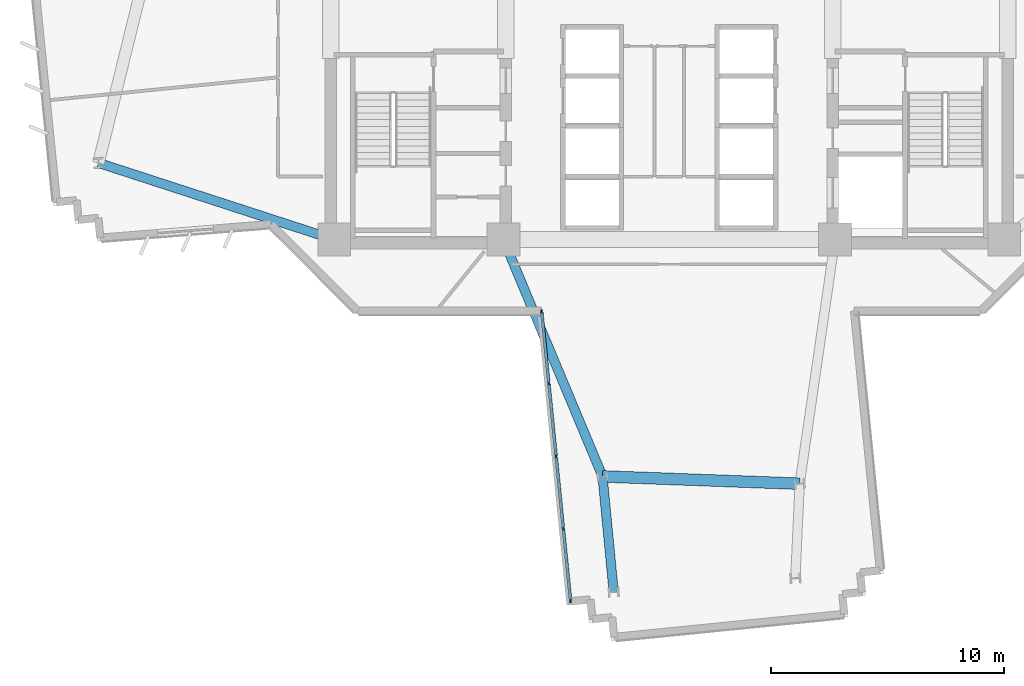
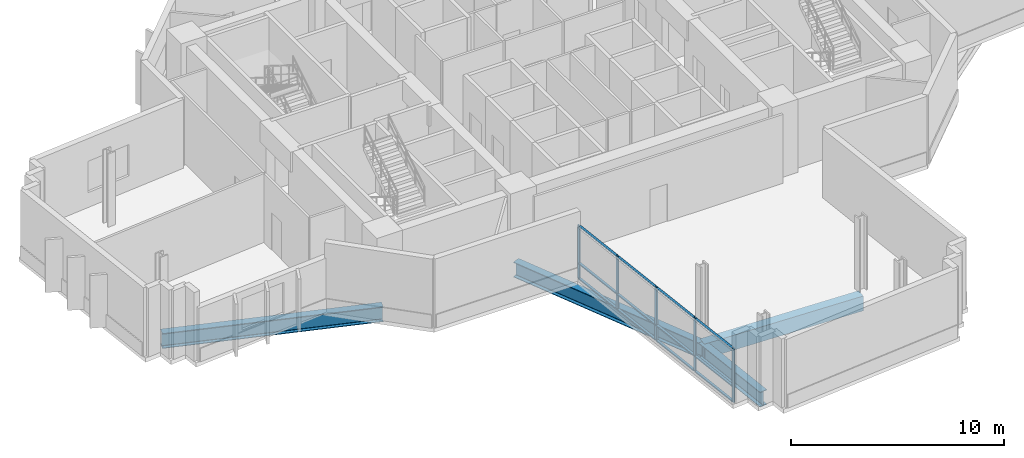
# One storey, part 2 of 14: 17 members, 4 beams, 1 element without a shape of its own.
"""IFC4 building model written with IfcOpenShell, lengths in metres."""

from ifc_helpers import new_model, si_unit, direction, frame, origin, origin_2d, place, context, subcontext, project, spatial, rectangle, i_section, extrude, source, transform, mapped, material, layer, layer_set, material_profile, profile_set, type_object, element, aggregate, save


model = new_model("IFC4")

# Units and contexts
model_context = context("Model", 3, precision=1e-05, world=origin(), true_north=direction((0.0, 1.0)))
body_context = subcontext(model_context, "Body", "Model", "MODEL_VIEW")
ifc_project = project(units=[si_unit("LENGTHUNIT", "METRE"), si_unit("AREAUNIT", "SQUARE_METRE"), si_unit("VOLUMEUNIT", "CUBIC_METRE"), si_unit("PLANEANGLEUNIT", "RADIAN"), si_unit("MASSUNIT", "GRAM", prefix="KILO")], contexts=[model_context])

# Site, building, storey
site_placement = place(None, origin())
site = spatial("IfcSite", under=ifc_project, at=site_placement, CompositionType="ELEMENT")
building_placement = place(site_placement, origin())
building = spatial("IfcBuilding", under=site, at=building_placement, Name="Zahravan Cultural Tower", CompositionType="ELEMENT")
storey_placement = place(building_placement, frame((0.0, 0.0, 92.10009765625)))
storey = spatial("IfcBuildingStorey", under=building, at=storey_placement, Name="L20", CompositionType="ELEMENT", Elevation=92.10009765625)

# Beams
ifc_material_1 = material(Name="Concrete C50/60", Category="concrete")
ifc_material_profile_1 = material_profile(ifc_material_1, rectangle(XDim=0.5, YDim=0.85009765625, at=origin_2d()), Name="RC500X850")
ifc_profile_set_1 = profile_set([ifc_material_profile_1], Name="Concrete C50/60")
beam_type_1 = type_object("IfcBeamType", Name="BM-SP-RC500X850", PredefinedType="SPANDREL", material=ifc_profile_set_1)
shared_shape_1 = source(origin(), body_context, "Body", "SweptSolid", [
    extrude(rectangle(XDim=0.5, YDim=0.85009765625, at=origin_2d()), origin(), (0.0, 0.0, 1.0), 8.4482421875),
])
beam_1_placement = place(storey_placement, frame((33.142578125, 7.653564453125, -0.675048828125), z_axis=(0.999318826256, -0.036903705643, 0.0), x_axis=(0.036903705643, 0.999318826256, 0.0)))
element("IfcBeam", 1, at=beam_1_placement, inside=storey, type_object=beam_type_1, Name="L20 Beam SP-L20-19", PredefinedType="SPANDREL", context=body_context, shape_type="MappedRepresentation", body=[
    mapped(shared_shape_1, transform((0.0, 0.0, 0.0), x_axis=(1.0, 0.0, 0.0), y_axis=(0.0, 1.0, 0.0), z_axis=(0.0, 0.0, 1.0), scale=1.0)),
])
ifc_material_2 = material(Name="Steel ASTM A992 Grade 50", Category="steel")
ifc_material_profile_2 = material_profile(ifc_material_2, i_section(OverallWidth=0.39990234375, OverallDepth=0.862060546875, WebThickness=0.019775390625, FlangeThickness=0.032470703125, FilletRadius=0.02001953125, at=origin_2d()), Name="W33X221")
ifc_profile_set_2 = profile_set([ifc_material_profile_2], Name="Steel ASTM A992 Grade 50")
beam_type_2 = type_object("IfcBeamType", Name="BM-G-W33X221", PredefinedType="BEAM", material=ifc_profile_set_2)
shared_shape_2 = source(origin(), body_context, "Body", "SweptSolid", [
    extrude(i_section(OverallWidth=0.39990234375, OverallDepth=0.862060546875, WebThickness=0.019775390625, FlangeThickness=0.032470703125, FilletRadius=0.02001953125, at=origin_2d()), origin(), (0.0, 0.0, 1.0), 10.615966796875),
])
beam_2_placement = place(storey_placement, frame((21.64990234375, 17.800048828125, -0.68115234375), z_axis=(-0.951063640083, 0.30899506875, 0.0), x_axis=(-0.30899506875, -0.951063640083, 0.0)))
element("IfcBeam", 2, at=beam_2_placement, inside=storey, type_object=beam_type_2, Name="L20 Beam BG-L20-07", PredefinedType="BEAM", context=body_context, shape_type="MappedRepresentation", body=[
    mapped(shared_shape_2, transform((0.0, 0.0, 0.0), x_axis=(1.0, 0.0, 0.0), y_axis=(0.0, 1.0, 0.0), z_axis=(0.0, 0.0, 1.0), scale=1.0)),
])
shared_shape_3 = source(origin(), body_context, "Body", "SweptSolid", [
    extrude(i_section(OverallWidth=0.39990234375, OverallDepth=0.862060546875, WebThickness=0.019775390625, FlangeThickness=0.032470703125, FilletRadius=0.02001953125, at=origin_2d()), origin(), (0.0, 0.0, 1.0), 10.997802734375),
])
beam_3_placement = place(storey_placement, frame((28.89990234375, 17.800048828125, -0.68115234375), z_axis=(0.385775211449, -0.922592806297, 0.0), x_axis=(0.922592806297, 0.385775211449, 0.0)))
element("IfcBeam", 3, at=beam_3_placement, inside=storey, type_object=beam_type_2, Name="L20 Beam BG-L20-08", PredefinedType="BEAM", context=body_context, shape_type="MappedRepresentation", body=[
    mapped(shared_shape_3, transform((0.0, 0.0, 0.0), x_axis=(1.0, 0.0, 0.0), y_axis=(0.0, 1.0, 0.0), z_axis=(0.0, 0.0, 1.0), scale=1.0)),
])
shared_shape_4 = source(origin(), body_context, "Body", "SweptSolid", [
    extrude(i_section(OverallWidth=0.39990234375, OverallDepth=0.862060546875, WebThickness=0.019775390625, FlangeThickness=0.032470703125, FilletRadius=0.02001953125, at=origin_2d()), origin(), (0.0, 0.0, 1.0), 4.973876953125),
])
beam_4_placement = place(storey_placement, frame((33.142578125, 7.653564453125, -0.68115234375), z_axis=(0.096154779131, -0.995366394073, 0.0), x_axis=(0.995366394073, 0.096154779131, 0.0)))
element("IfcBeam", 4, at=beam_4_placement, inside=storey, type_object=beam_type_2, Name="L20 Beam BG-L20-17", PredefinedType="BEAM", context=body_context, shape_type="MappedRepresentation", body=[
    mapped(shared_shape_4, transform((0.0, 0.0, 0.0), x_axis=(1.0, 0.0, 0.0), y_axis=(0.0, 1.0, 0.0), z_axis=(0.0, 0.0, 1.0), scale=1.0)),
])

# Curtain wall, members
ifc_material_3 = material(Name="Anodised bronze-aluminium mullion", Category="aluminium")
ifc_layer = layer(ifc_material_3, 0.1650390625)
ifc_layer_set = layer_set([ifc_layer], Name="Anodised bronze-aluminium mullion")
curtain_wall_type = type_object("IfcCurtainWallType", Name="CW-SYS-4", PredefinedType="USERDEFINED", material=ifc_layer_set)
curtain_wall_placement = place(storey_placement, origin())
curtain_wall = element("IfcCurtainWall", 5, at=curtain_wall_placement, inside=storey, type_object=curtain_wall_type, Name="L20 Recessed Curtain Wall CW-4.2", ObjectType="RECESSED GLAZING", PredefinedType="USERDEFINED")
ifc_material_profile_3 = material_profile(ifc_material_3, rectangle(XDim=0.06494140625, YDim=0.1650390625, at=origin_2d()), Name="AL-M65X165")
ifc_profile_set_3 = profile_set([ifc_material_profile_3], Name="Anodised bronze-aluminium mullion")
member_type_1 = type_object("IfcMemberType", Name="CWM-CW-4", PredefinedType="MULLION", material=ifc_profile_set_3)
shared_shape_5 = source(origin(), body_context, "Body", "SweptSolid", [
    extrude(rectangle(XDim=0.06494140625, YDim=0.1650390625, at=origin_2d()), origin(), (0.0, 0.0, 1.0), 3.06982421875),
])
member_1_placement = place(storey_placement, frame((31.769287109375, 2.330322265625, 0.0), z_axis=(0.0, 0.0, 1.0), x_axis=(-0.99505538579, -0.099321594883, 0.0)))
member_1 = element("IfcMember", 6, at=member_1_placement, type_object=member_type_1, Name="CW-4 mullion 1", PredefinedType="MULLION", context=body_context, shape_type="MappedRepresentation", body=[
    mapped(shared_shape_5, transform((0.0, 0.0, 0.0), x_axis=(1.0, 0.0, 0.0), y_axis=(0.0, 1.0, 0.0), z_axis=(0.0, 0.0, 1.0), scale=1.0)),
])
member_2_placement = place(storey_placement, frame((31.4619140625, 5.408447265625, 0.0), z_axis=(0.0, 0.0, 1.0), x_axis=(-0.99505538579, -0.099321594883, 0.0)))
member_2 = element("IfcMember", 7, at=member_2_placement, type_object=member_type_1, Name="CW-4 mullion 2", PredefinedType="MULLION", context=body_context, shape_type="MappedRepresentation", body=[
    mapped(shared_shape_5, transform((0.0, 0.0, 0.0), x_axis=(1.0, 0.0, 0.0), y_axis=(0.0, 1.0, 0.0), z_axis=(0.0, 0.0, 1.0), scale=1.0)),
])
member_3_placement = place(storey_placement, frame((31.151611328125, 8.51904296875, 0.0), z_axis=(0.0, 0.0, 1.0), x_axis=(-0.99505538579, -0.099321594883, 0.0)))
member_3 = element("IfcMember", 8, at=member_3_placement, type_object=member_type_1, Name="CW-4 mullion 3", PredefinedType="MULLION", context=body_context, shape_type="MappedRepresentation", body=[
    mapped(shared_shape_5, transform((0.0, 0.0, 0.0), x_axis=(1.0, 0.0, 0.0), y_axis=(0.0, 1.0, 0.0), z_axis=(0.0, 0.0, 1.0), scale=1.0)),
])
member_4_placement = place(storey_placement, frame((30.841064453125, 11.62939453125, 0.0), z_axis=(0.0, 0.0, 1.0), x_axis=(-0.99505538579, -0.099321594883, 0.0)))
member_4 = element("IfcMember", 9, at=member_4_placement, type_object=member_type_1, Name="CW-4 mullion 4", PredefinedType="MULLION", context=body_context, shape_type="MappedRepresentation", body=[
    mapped(shared_shape_5, transform((0.0, 0.0, 0.0), x_axis=(1.0, 0.0, 0.0), y_axis=(0.0, 1.0, 0.0), z_axis=(0.0, 0.0, 1.0), scale=1.0)),
])
member_5_placement = place(storey_placement, frame((30.533935546875, 14.707763671875, 0.0), z_axis=(0.0, 0.0, 1.0), x_axis=(-0.99505538579, -0.099321594883, 0.0)))
member_5 = element("IfcMember", 10, at=member_5_placement, type_object=member_type_1, Name="CW-4 mullion 5", PredefinedType="MULLION", context=body_context, shape_type="MappedRepresentation", body=[
    mapped(shared_shape_5, transform((0.0, 0.0, 0.0), x_axis=(1.0, 0.0, 0.0), y_axis=(0.0, 1.0, 0.0), z_axis=(0.0, 0.0, 1.0), scale=1.0)),
])
ifc_material_profile_4 = material_profile(ifc_material_3, rectangle(XDim=0.1298828125, YDim=0.06494140625, at=origin_2d()), Name="AL-T65X130")
ifc_profile_set_4 = profile_set([ifc_material_profile_4], Name="Anodised bronze-aluminium mullion")
member_type_2 = type_object("IfcMemberType", Name="CWT-CW-4", PredefinedType="USERDEFINED", material=ifc_profile_set_4)
shared_shape_6 = source(origin(), body_context, "Body", "SweptSolid", [
    extrude(rectangle(XDim=0.1298828125, YDim=0.06494140625, at=origin_2d()), origin(), (0.0, 0.0, 1.0), 3.0283203125),
])
member_6_placement = place(storey_placement, frame((31.76611328125, 2.36279296875, 0.032470703125), z_axis=(-0.099320134078, 0.995055531599, 0.0), x_axis=(-0.995055531599, -0.099320134078, 0.0)))
member_6 = element("IfcMember", 11, at=member_6_placement, type_object=member_type_2, Name="CW-4 transom 1.1", ObjectType="TRANSOM", PredefinedType="USERDEFINED", context=body_context, shape_type="MappedRepresentation", body=[
    mapped(shared_shape_6, transform((0.0, 0.0, 0.0), x_axis=(1.0, 0.0, 0.0), y_axis=(0.0, 1.0, 0.0), z_axis=(0.0, 0.0, 1.0), scale=1.0)),
])
member_7_placement = place(storey_placement, frame((31.76611328125, 2.36279296875, 0.89990234375), z_axis=(-0.099320134078, 0.995055531599, 0.0), x_axis=(-0.995055531599, -0.099320134078, 0.0)))
member_7 = element("IfcMember", 12, at=member_7_placement, type_object=member_type_2, Name="CW-4 transom 1.2", ObjectType="TRANSOM", PredefinedType="USERDEFINED", context=body_context, shape_type="MappedRepresentation", body=[
    mapped(shared_shape_6, transform((0.0, 0.0, 0.0), x_axis=(1.0, 0.0, 0.0), y_axis=(0.0, 1.0, 0.0), z_axis=(0.0, 0.0, 1.0), scale=1.0)),
])
member_8_placement = place(storey_placement, frame((31.76611328125, 2.36279296875, 3.037353515625), z_axis=(-0.099320134078, 0.995055531599, 0.0), x_axis=(-0.995055531599, -0.099320134078, 0.0)))
member_8 = element("IfcMember", 13, at=member_8_placement, type_object=member_type_2, Name="CW-4 transom 1.3", ObjectType="TRANSOM", PredefinedType="USERDEFINED", context=body_context, shape_type="MappedRepresentation", body=[
    mapped(shared_shape_6, transform((0.0, 0.0, 0.0), x_axis=(1.0, 0.0, 0.0), y_axis=(0.0, 1.0, 0.0), z_axis=(0.0, 0.0, 1.0), scale=1.0)),
])
member_9_placement = place(storey_placement, frame((30.837890625, 11.661865234375, 0.032470703125), z_axis=(-0.099320134078, 0.995055531599, 0.0), x_axis=(-0.995055531599, -0.099320134078, 0.0)))
member_9 = element("IfcMember", 14, at=member_9_placement, type_object=member_type_2, Name="CW-4 transom 4.1", ObjectType="TRANSOM", PredefinedType="USERDEFINED", context=body_context, shape_type="MappedRepresentation", body=[
    mapped(shared_shape_6, transform((0.0, 0.0, 0.0), x_axis=(1.0, 0.0, 0.0), y_axis=(0.0, 1.0, 0.0), z_axis=(0.0, 0.0, 1.0), scale=1.0)),
])
member_10_placement = place(storey_placement, frame((30.837890625, 11.661865234375, 0.89990234375), z_axis=(-0.099320134078, 0.995055531599, 0.0), x_axis=(-0.995055531599, -0.099320134078, 0.0)))
member_10 = element("IfcMember", 15, at=member_10_placement, type_object=member_type_2, Name="CW-4 transom 4.2", ObjectType="TRANSOM", PredefinedType="USERDEFINED", context=body_context, shape_type="MappedRepresentation", body=[
    mapped(shared_shape_6, transform((0.0, 0.0, 0.0), x_axis=(1.0, 0.0, 0.0), y_axis=(0.0, 1.0, 0.0), z_axis=(0.0, 0.0, 1.0), scale=1.0)),
])
member_11_placement = place(storey_placement, frame((30.837890625, 11.661865234375, 3.037353515625), z_axis=(-0.099320134078, 0.995055531599, 0.0), x_axis=(-0.995055531599, -0.099320134078, 0.0)))
member_11 = element("IfcMember", 16, at=member_11_placement, type_object=member_type_2, Name="CW-4 transom 4.3", ObjectType="TRANSOM", PredefinedType="USERDEFINED", context=body_context, shape_type="MappedRepresentation", body=[
    mapped(shared_shape_6, transform((0.0, 0.0, 0.0), x_axis=(1.0, 0.0, 0.0), y_axis=(0.0, 1.0, 0.0), z_axis=(0.0, 0.0, 1.0), scale=1.0)),
])
shared_shape_7 = source(origin(), body_context, "Body", "SweptSolid", [
    extrude(rectangle(XDim=0.1298828125, YDim=0.06494140625, at=origin_2d()), origin(), (0.0, 0.0, 1.0), 3.060791015625),
])
member_12_placement = place(storey_placement, frame((31.458740234375, 5.44091796875, 0.032470703125), z_axis=(-0.099306281217, 0.995056914207, 0.0), x_axis=(-0.995056914207, -0.099306281217, 0.0)))
member_12 = element("IfcMember", 17, at=member_12_placement, type_object=member_type_2, Name="CW-4 transom 2.1", ObjectType="TRANSOM", PredefinedType="USERDEFINED", context=body_context, shape_type="MappedRepresentation", body=[
    mapped(shared_shape_7, transform((0.0, 0.0, 0.0), x_axis=(1.0, 0.0, 0.0), y_axis=(0.0, 1.0, 0.0), z_axis=(0.0, 0.0, 1.0), scale=1.0)),
])
member_13_placement = place(storey_placement, frame((31.458740234375, 5.44091796875, 0.89990234375), z_axis=(-0.099306281217, 0.995056914207, 0.0), x_axis=(-0.995056914207, -0.099306281217, 0.0)))
member_13 = element("IfcMember", 18, at=member_13_placement, type_object=member_type_2, Name="CW-4 transom 2.2", ObjectType="TRANSOM", PredefinedType="USERDEFINED", context=body_context, shape_type="MappedRepresentation", body=[
    mapped(shared_shape_7, transform((0.0, 0.0, 0.0), x_axis=(1.0, 0.0, 0.0), y_axis=(0.0, 1.0, 0.0), z_axis=(0.0, 0.0, 1.0), scale=1.0)),
])
member_14_placement = place(storey_placement, frame((31.458740234375, 5.44091796875, 3.037353515625), z_axis=(-0.099306281217, 0.995056914207, 0.0), x_axis=(-0.995056914207, -0.099306281217, 0.0)))
member_14 = element("IfcMember", 19, at=member_14_placement, type_object=member_type_2, Name="CW-4 transom 2.3", ObjectType="TRANSOM", PredefinedType="USERDEFINED", context=body_context, shape_type="MappedRepresentation", body=[
    mapped(shared_shape_7, transform((0.0, 0.0, 0.0), x_axis=(1.0, 0.0, 0.0), y_axis=(0.0, 1.0, 0.0), z_axis=(0.0, 0.0, 1.0), scale=1.0)),
])
shared_shape_8 = source(origin(), body_context, "Body", "SweptSolid", [
    extrude(rectangle(XDim=0.1298828125, YDim=0.06494140625, at=origin_2d()), origin(), (0.0, 0.0, 1.0), 3.06103515625),
])
member_15_placement = place(storey_placement, frame((31.1484375, 8.55126953125, 0.032470703125), z_axis=(-0.099377370307, 0.995049816979, 0.0), x_axis=(-0.995049816979, -0.099377370307, 0.0)))
member_15 = element("IfcMember", 20, at=member_15_placement, type_object=member_type_2, Name="CW-4 transom 3.1", ObjectType="TRANSOM", PredefinedType="USERDEFINED", context=body_context, shape_type="MappedRepresentation", body=[
    mapped(shared_shape_8, transform((0.0, 0.0, 0.0), x_axis=(1.0, 0.0, 0.0), y_axis=(0.0, 1.0, 0.0), z_axis=(0.0, 0.0, 1.0), scale=1.0)),
])
member_16_placement = place(storey_placement, frame((31.1484375, 8.55126953125, 0.89990234375), z_axis=(-0.099377370307, 0.995049816979, 0.0), x_axis=(-0.995049816979, -0.099377370307, 0.0)))
member_16 = element("IfcMember", 21, at=member_16_placement, type_object=member_type_2, Name="CW-4 transom 3.2", ObjectType="TRANSOM", PredefinedType="USERDEFINED", context=body_context, shape_type="MappedRepresentation", body=[
    mapped(shared_shape_8, transform((0.0, 0.0, 0.0), x_axis=(1.0, 0.0, 0.0), y_axis=(0.0, 1.0, 0.0), z_axis=(0.0, 0.0, 1.0), scale=1.0)),
])
member_17_placement = place(storey_placement, frame((31.1484375, 8.55126953125, 3.037353515625), z_axis=(-0.099377370307, 0.995049816979, 0.0), x_axis=(-0.995049816979, -0.099377370307, 0.0)))
member_17 = element("IfcMember", 22, at=member_17_placement, type_object=member_type_2, Name="CW-4 transom 3.3", ObjectType="TRANSOM", PredefinedType="USERDEFINED", context=body_context, shape_type="MappedRepresentation", body=[
    mapped(shared_shape_8, transform((0.0, 0.0, 0.0), x_axis=(1.0, 0.0, 0.0), y_axis=(0.0, 1.0, 0.0), z_axis=(0.0, 0.0, 1.0), scale=1.0)),
])
aggregate(curtain_wall, [member_1, member_2, member_3, member_4, member_5, member_6, member_7, member_8, member_12, member_13, member_14, member_15, member_16, member_17, member_9, member_10, member_11])

save(model, "model.ifc")
